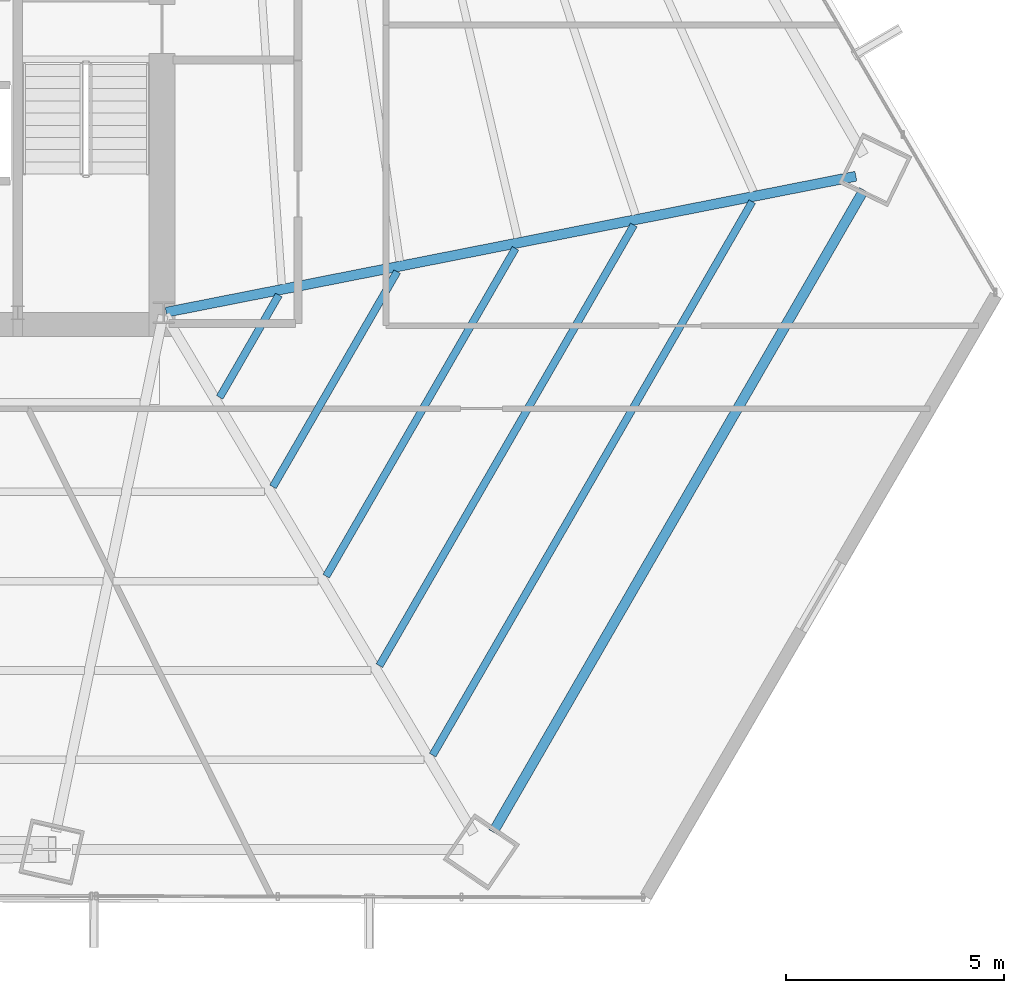
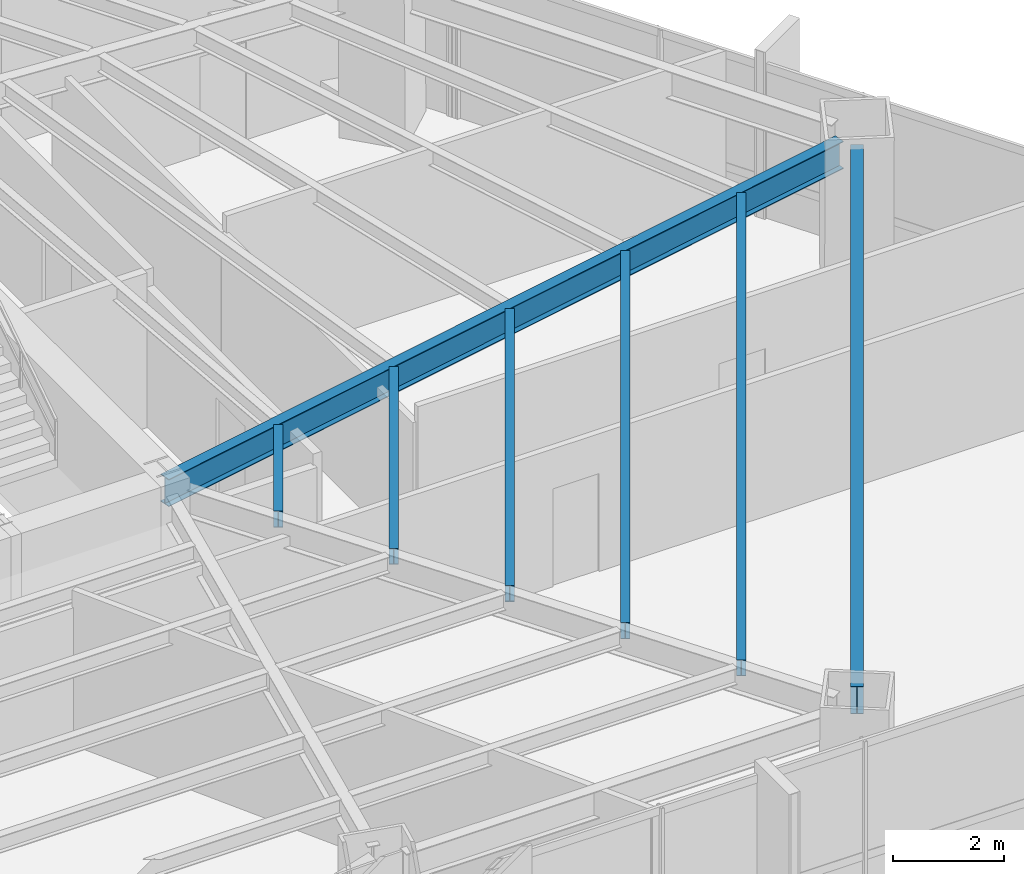
# One storey, part 15 of 33: 7 beams.
"""IFC4 building model written with IfcOpenShell, lengths in metres."""

import ifcopenshell
import ifcopenshell.guid

model = None  # the IFC model being written
_history = None  # IfcOwnerHistory: only IFC2X3 demands one
_inside = {}  # id of a spatial element -> (the spatial element, [elements in it])
_under = {}  # id of a project, library or spatial element -> (it, [spatial elements below it])
_declared = {}  # id of a project -> (the project, [libraries it declares])
_typed = {}  # id of a type object -> (the type object, [elements of that type])
_made_of = {}  # id of a material, layer set ... -> (it, [elements and type objects made of it])


def new_model(schema):
    """Start an empty IFC model of exactly this schema.

    Asked for "IFC4X3", IfcOpenShell would pick the latest addendum, in which some entities
    have other attributes; the version numbers below select the first issue.
    IFC2X3 requires an IfcOwnerHistory on every rooted entity: one is made here for all.
    """
    global model, _history
    if schema == "IFC4X3":
        model = ifcopenshell.file(schema_version=(4, 3, 0, 0))
    else:
        model = ifcopenshell.file(schema=schema)
    _inside.clear()
    _under.clear()
    _declared.clear()
    _typed.clear()
    _made_of.clear()
    _history = None
    if model.schema == "IFC2X3":
        org = make("IfcOrganization", Name="unknown")
        user = make(
            "IfcPersonAndOrganization",
            ThePerson=make("IfcPerson", FamilyName="unknown"),
            TheOrganization=org,
        )
        app = make(
            "IfcApplication",
            ApplicationDeveloper=org,
            Version="unknown",
            ApplicationFullName="unknown",
            ApplicationIdentifier="unknown",
        )
        _history = make(
            "IfcOwnerHistory",
            OwningUser=user,
            OwningApplication=app,
            ChangeAction="ADDED",
            CreationDate=0,
        )
    return model


def make(cls, **values):
    """One entity of the class cls with the attributes given. An attribute that is None is left unset."""
    return model.create_entity(
        cls, **{name: value for name, value in values.items() if value is not None}
    )


def rooted(cls, **values):
    """An entity with a GlobalId (a new one), such as an element, a storey or a relation."""
    return make(cls, GlobalId=ifcopenshell.guid.new(), OwnerHistory=_history, **values)


def si_unit(unit_type, name, prefix=None):
    """IfcSIUnit, for example si_unit("LENGTHUNIT", "METRE", prefix="MILLI")."""
    return make("IfcSIUnit", UnitType=unit_type, Prefix=prefix, Name=name)


def assignment(units):
    """IfcUnitAssignment: the units of a project."""
    return None if units is None else make("IfcUnitAssignment", Units=units)


def point(xyz):
    """IfcCartesianPoint."""
    return None if xyz is None else make("IfcCartesianPoint", Coordinates=xyz)


def direction(xyz):
    """IfcDirection."""
    return None if xyz is None else make("IfcDirection", DirectionRatios=xyz)


def frame(location, z_axis=None, x_axis=None):
    """IfcAxis2Placement3D, a coordinate frame: its origin and axes. An axis left out is left unset."""
    return make(
        "IfcAxis2Placement3D",
        Location=point(location),
        Axis=direction(z_axis),
        RefDirection=direction(x_axis),
    )


def frame_2d(location, x_axis=None):
    """IfcAxis2Placement2D, a coordinate frame in the plane: its origin and x axis."""
    return make(
        "IfcAxis2Placement2D", Location=point(location), RefDirection=direction(x_axis)
    )


def origin():
    """The frame at (0, 0, 0) with its axes left unset."""
    return frame((0.0, 0.0, 0.0))


def origin_2d():
    """The frame at (0, 0) in the plane with its x axis left unset."""
    return frame_2d((0.0, 0.0))


def place(relative_to, where):
    """IfcLocalPlacement: puts the frame where relative to a parent placement (None: the world)."""
    return make(
        "IfcLocalPlacement", PlacementRelTo=relative_to, RelativePlacement=where
    )


def context(
    kind, dimensions, precision=None, world=None, true_north=None, identifier=None
):
    """IfcGeometricRepresentationContext, for example the 3D "Model" context."""
    return make(
        "IfcGeometricRepresentationContext",
        ContextIdentifier=identifier,
        ContextType=kind,
        CoordinateSpaceDimension=dimensions,
        Precision=precision,
        WorldCoordinateSystem=world,
        TrueNorth=true_north,
    )


def subcontext(parent, identifier, kind, view, scale=None):
    """IfcGeometricRepresentationSubContext, for example "Body" below "Model"."""
    return make(
        "IfcGeometricRepresentationSubContext",
        ContextIdentifier=identifier,
        ContextType=kind,
        ParentContext=parent,
        TargetScale=scale,
        TargetView=view,
    )


def project(units=None, contexts=None):
    """IfcProject with its units and contexts."""
    return rooted(
        "IfcProject",
        Name="project",
        RepresentationContexts=contexts,
        UnitsInContext=assignment(units),
    )


def spatial(cls, under=None, at=None, **own):
    """A site, building, storey or space (cls), placed at a placement, below another one or the project."""
    s = rooted(cls, ObjectPlacement=at, **own)
    if under is not None:
        _under.setdefault(under.id(), (under, []))[1].append(s)
    return s


def profile(cls, at=None, kind="AREA", **sizes):
    """A parametric profile (cls). Its sizes go by their IFC names, for example OverallWidth=200.0."""
    return make(cls, ProfileType=kind, Position=at, **sizes)


def i_section(**sizes):
    """IfcIShapeProfileDef."""
    return profile("IfcIShapeProfileDef", **sizes)


def extrude(swept, where, along, depth):
    """IfcExtrudedAreaSolid: the profile swept, set in the frame where, extruded along a direction by depth."""
    return make(
        "IfcExtrudedAreaSolid",
        SweptArea=swept,
        Position=where,
        ExtrudedDirection=direction(along),
        Depth=depth,
    )


def shape(context_of_items, identifier, shape_type, items):
    """IfcShapeRepresentation: the items that make up one representation, for example the "Body"."""
    return make(
        "IfcShapeRepresentation",
        ContextOfItems=context_of_items,
        RepresentationIdentifier=identifier,
        RepresentationType=shape_type,
        Items=items,
    )


def source(mapping_origin, context_of_items, identifier, shape_type, items):
    """IfcRepresentationMap: a shape defined once, which mapped items show again and again."""
    return make(
        "IfcRepresentationMap",
        MappingOrigin=mapping_origin,
        MappedRepresentation=shape(context_of_items, identifier, shape_type, items),
    )


def transform(
    local_origin,
    x_axis=None,
    y_axis=None,
    z_axis=None,
    scale=None,
    scale2=None,
    scale3=None,
    uniform=True,
):
    """IfcCartesianTransformationOperator3D, or its non-uniform kind. x_axis, y_axis, z_axis: its Axis1, 2, 3."""
    if uniform:
        return make(
            "IfcCartesianTransformationOperator3D",
            Axis1=direction(x_axis),
            Axis2=direction(y_axis),
            LocalOrigin=point(local_origin),
            Scale=scale,
            Axis3=direction(z_axis),
        )
    return make(
        "IfcCartesianTransformationOperator3DnonUniform",
        Axis1=direction(x_axis),
        Axis2=direction(y_axis),
        LocalOrigin=point(local_origin),
        Scale=scale,
        Axis3=direction(z_axis),
        Scale2=scale2,
        Scale3=scale3,
    )


def mapped(mapping_source, mapping_target):
    """IfcMappedItem: shows the shape of a source again, moved by a transform."""
    return make(
        "IfcMappedItem", MappingSource=mapping_source, MappingTarget=mapping_target
    )


def material(Name=None, Category=None):
    """IfcMaterial."""
    return make("IfcMaterial", Name=Name, Category=Category)


def material_profile(
    of_material, cross_section, Name=None, Category=None, Priority=None
):
    """IfcMaterialProfile: a cross section and its material."""
    return make(
        "IfcMaterialProfile",
        Name=Name,
        Material=of_material,
        Profile=cross_section,
        Priority=Priority,
        Category=Category,
    )


def profile_set(profiles, Name=None, composite=None):
    """IfcMaterialProfileSet."""
    return make(
        "IfcMaterialProfileSet",
        Name=Name,
        MaterialProfiles=profiles,
        CompositeProfile=composite,
    )


def made_of(thing, what):
    """Note that an element or type object is made of a material, layer set ...; save() writes the relation."""
    if what is not None:
        _made_of.setdefault(what.id(), (what, []))[1].append(thing)
    return thing


def type_object(cls, material=None, **own):
    """A type object (cls), such as IfcWallType, which elements share."""
    return made_of(rooted(cls, **own), material)


def type_shapes(of_type, sources):
    """Give a type object the sources (RepresentationMaps) that its elements show as mapped items."""
    of_type.RepresentationMaps = sources


def element(
    cls,
    number,
    at=None,
    inside=None,
    cuts=None,
    type_object=None,
    material=None,
    context=None,
    identifier="Body",
    shape_type=None,
    held_by="IfcProductDefinitionShape",
    body=None,
    shapes=None,
    **own,
):
    """One element of the class cls, such as IfcWall. Its Tag is "e" and its number.

    at: its placement. inside: the storey or other place that contains it. cuts: it is an
    opening in that element (IfcRelVoidsElement). A single representation is given by context,
    identifier, shape_type and body (its items); several are given by shapes. held_by: the class
    of the entity that holds the representations. save() writes the other relations.
    """
    e = rooted(cls, Tag="e%d" % number, ObjectPlacement=at, **own)
    if body is not None:
        shapes = [shape(context, identifier, shape_type, body)]
    if shapes is not None:
        e.Representation = make(held_by, Representations=shapes)
    if inside is not None:
        _inside.setdefault(inside.id(), (inside, []))[1].append(e)
    if cuts is not None:
        rooted(
            "IfcRelVoidsElement", RelatingBuildingElement=cuts, RelatedOpeningElement=e
        )
    if type_object is not None:
        _typed.setdefault(type_object.id(), (type_object, []))[1].append(e)
    return made_of(e, material)


def aggregate(whole, parts):
    """IfcRelAggregates: a whole, such as a stair, and the parts it consists of."""
    return rooted("IfcRelAggregates", RelatingObject=whole, RelatedObjects=parts)


def save(model, path):
    """Write the relations noted so far, then the file.

    IfcRelAggregates (storeys below a building ...), IfcRelContainedInSpatialStructure (elements
    in a storey), IfcRelDefinesByType, IfcRelAssociatesMaterial and IfcRelDeclares: one each for
    every whole, place, type object, material and project.
    """
    for whole, parts in _under.values():
        aggregate(whole, parts)
    for where, things in _inside.values():
        rooted(
            "IfcRelContainedInSpatialStructure",
            RelatedElements=things,
            RelatingStructure=where,
        )
    for kind, things in _typed.values():
        rooted("IfcRelDefinesByType", RelatedObjects=things, RelatingType=kind)
    for what, things in _made_of.values():
        rooted("IfcRelAssociatesMaterial", RelatedObjects=things, RelatingMaterial=what)
    for by, libraries in _declared.values():
        rooted("IfcRelDeclares", RelatingContext=by, RelatedDefinitions=libraries)
    model.write(path)


model = new_model("IFC4")

# Units and contexts
model_context = context("Model", 3, precision=1e-05, world=origin(), true_north=direction((0.0, 1.0)))
body_context = subcontext(model_context, "Body", "Model", "MODEL_VIEW")
ifc_project = project(units=[si_unit("LENGTHUNIT", "METRE"), si_unit("AREAUNIT", "SQUARE_METRE"), si_unit("VOLUMEUNIT", "CUBIC_METRE"), si_unit("PLANEANGLEUNIT", "RADIAN"), si_unit("MASSUNIT", "GRAM", prefix="KILO")], contexts=[model_context])

# Site, building, storey
site_placement = place(None, origin())
site = spatial("IfcSite", under=ifc_project, at=site_placement, CompositionType="ELEMENT")
building_placement = place(site_placement, origin())
building = spatial("IfcBuilding", under=site, at=building_placement, Name="Caelisora Broadcast Tower", CompositionType="ELEMENT")
storey_placement = place(building_placement, frame((0.0, 0.0, 38.550048828125)))
storey = spatial("IfcBuildingStorey", under=building, at=storey_placement, Name="L09", CompositionType="ELEMENT", Elevation=38.550048828125)

# Beams
ifc_material = material(Name="Steel Grade 350 (AS/NZS 3679.1)", Category="steel")
ifc_material_profile_1 = material_profile(ifc_material, i_section(OverallWidth=0.22900390625, OverallDepth=0.611572265625, WebThickness=0.011962890625, FlangeThickness=0.01953125, at=origin_2d()), Name="Steel Grade 350 (AS/NZS 3679.1)")
ifc_profile_set_1 = profile_set([ifc_material_profile_1], Name="Steel Grade 350 (AS/NZS 3679.1)")
beam_type_1 = type_object("IfcBeamType", Name="PG03", PredefinedType="BEAM", material=ifc_profile_set_1)
shared_shape_1 = source(origin(), body_context, "Body", "SweptSolid", [
    extrude(i_section(OverallWidth=0.22900390625, OverallDepth=0.611572265625, WebThickness=0.011962890625, FlangeThickness=0.01953125, at=origin_2d()), origin(), (0.0, 0.0, 1.0), 17.00537109375),
])
type_shapes(beam_type_1, [shared_shape_1])
beam_1_placement = place(storey_placement, frame((53.05908203125, 5.487548828125, 3.09423828125), z_axis=(0.500000829766, 0.866024924718, 0.0), x_axis=(-0.866024924718, 0.500000829766, 0.0)))
element("IfcBeam", 1, at=beam_1_placement, inside=storey, type_object=beam_type_1, Name="L09 beam PG03", PredefinedType="BEAM", context=body_context, shape_type="MappedRepresentation", body=[
    mapped(shared_shape_1, transform((0.0, 0.0, 0.0), scale=1.0)),
])
ifc_material_profile_2 = material_profile(ifc_material, i_section(OverallWidth=0.22802734375, OverallDepth=0.602294921875, WebThickness=0.010498046875, FlangeThickness=0.014892578125, at=origin_2d()), Name="Steel Grade 350 (AS/NZS 3679.1)")
ifc_profile_set_2 = profile_set([ifc_material_profile_2], Name="Steel Grade 350 (AS/NZS 3679.1)")
beam_type_2 = type_object("IfcBeamType", Name="PG04", PredefinedType="BEAM", material=ifc_profile_set_2)
shared_shape_2 = source(origin(), body_context, "Body", "SweptSolid", [
    extrude(i_section(OverallWidth=0.22802734375, OverallDepth=0.602294921875, WebThickness=0.010498046875, FlangeThickness=0.014892578125, at=origin_2d()), origin(), (0.0, 0.0, 1.0), 16.12548828125),
])
type_shapes(beam_type_2, [shared_shape_2])
beam_2_placement = place(storey_placement, frame((45.558837890625, 17.41162109375, 3.098876953125), z_axis=(0.98110240051, 0.193489223766, 0.0), x_axis=(-0.193489223766, 0.98110240051, 0.0)))
element("IfcBeam", 2, at=beam_2_placement, inside=storey, type_object=beam_type_2, Name="L09 beam PG04", PredefinedType="BEAM", context=body_context, shape_type="MappedRepresentation", body=[
    mapped(shared_shape_2, transform((0.0, 0.0, 0.0), scale=1.0)),
])
ifc_material_profile_3 = material_profile(ifc_material, i_section(OverallWidth=0.172119140625, OverallDepth=0.358642578125, WebThickness=0.008056640625, FlangeThickness=0.012939453125, at=origin_2d()), Name="Steel Grade 350 (AS/NZS 3679.1)")
ifc_profile_set_3 = profile_set([ifc_material_profile_3], Name="Steel Grade 350 (AS/NZS 3679.1)")
beam_type_3 = type_object("IfcBeamType", Name="SB02", PredefinedType="JOIST", material=ifc_profile_set_3)
shared_shape_3 = source(origin(), body_context, "Body", "SweptSolid", [
    extrude(i_section(OverallWidth=0.172119140625, OverallDepth=0.358642578125, WebThickness=0.008056640625, FlangeThickness=0.012939453125, at=origin_2d()), origin(), (0.0, 0.0, 1.0), 2.71142578125),
])
beam_3_placement = place(storey_placement, frame((46.785400390625, 15.458740234375, 3.220703125), z_axis=(0.500003046405, 0.866023644935, 0.0), x_axis=(-0.866023644935, 0.500003046405, 0.0)))
element("IfcBeam", 3, at=beam_3_placement, inside=storey, type_object=beam_type_3, Name="L09 beam SB02", PredefinedType="JOIST", context=body_context, shape_type="MappedRepresentation", body=[
    mapped(shared_shape_3, transform((0.0, 0.0, 0.0), scale=1.0)),
])
shared_shape_4 = source(origin(), body_context, "Body", "SweptSolid", [
    extrude(i_section(OverallWidth=0.172119140625, OverallDepth=0.358642578125, WebThickness=0.008056640625, FlangeThickness=0.012939453125, at=origin_2d()), origin(), (0.0, 0.0, 1.0), 5.69921875),
])
beam_4_placement = place(storey_placement, frame((48.0068359375, 13.406982421875, 3.220703125), z_axis=(0.500009219579, 0.866020080793, 0.0), x_axis=(-0.866020080793, 0.500009219579, 0.0)))
element("IfcBeam", 4, at=beam_4_placement, inside=storey, type_object=beam_type_3, Name="L09 beam SB02", PredefinedType="JOIST", context=body_context, shape_type="MappedRepresentation", body=[
    mapped(shared_shape_4, transform((0.0, 0.0, 0.0), scale=1.0)),
])
shared_shape_5 = source(origin(), body_context, "Body", "SweptSolid", [
    extrude(i_section(OverallWidth=0.172119140625, OverallDepth=0.358642578125, WebThickness=0.008056640625, FlangeThickness=0.012939453125, at=origin_2d()), origin(), (0.0, 0.0, 1.0), 8.686767578125),
])
beam_5_placement = place(storey_placement, frame((49.228271484375, 11.35498046875, 3.220703125), z_axis=(0.500011146402, 0.866018968311, 0.0), x_axis=(-0.866018968311, 0.500011146402, 0.0)))
element("IfcBeam", 5, at=beam_5_placement, inside=storey, type_object=beam_type_3, Name="L09 beam SB02", PredefinedType="JOIST", context=body_context, shape_type="MappedRepresentation", body=[
    mapped(shared_shape_5, transform((0.0, 0.0, 0.0), scale=1.0)),
])
shared_shape_6 = source(origin(), body_context, "Body", "SweptSolid", [
    extrude(i_section(OverallWidth=0.172119140625, OverallDepth=0.358642578125, WebThickness=0.008056640625, FlangeThickness=0.012939453125, at=origin_2d()), origin(), (0.0, 0.0, 1.0), 11.67431640625),
])
beam_6_placement = place(storey_placement, frame((50.44970703125, 9.30322265625, 3.220703125), z_axis=(0.499996402825, 0.866027480605, 0.0), x_axis=(-0.866027480605, 0.499996402825, 0.0)))
element("IfcBeam", 6, at=beam_6_placement, inside=storey, type_object=beam_type_3, Name="L09 beam SB02", PredefinedType="JOIST", context=body_context, shape_type="MappedRepresentation", body=[
    mapped(shared_shape_6, transform((0.0, 0.0, 0.0), scale=1.0)),
])
shared_shape_7 = source(origin(), body_context, "Body", "SweptSolid", [
    extrude(i_section(OverallWidth=0.172119140625, OverallDepth=0.358642578125, WebThickness=0.008056640625, FlangeThickness=0.012939453125, at=origin_2d()), origin(), (0.0, 0.0, 1.0), 14.661865234375),
])
type_shapes(beam_type_3, [shared_shape_3, shared_shape_4, shared_shape_5, shared_shape_6, shared_shape_7])
beam_7_placement = place(storey_placement, frame((51.67138671875, 7.25146484375, 3.220703125), z_axis=(0.499987667596, 0.866032523784, 0.0), x_axis=(-0.866032523784, 0.499987667596, 0.0)))
element("IfcBeam", 7, at=beam_7_placement, inside=storey, type_object=beam_type_3, Name="L09 beam SB02", PredefinedType="JOIST", context=body_context, shape_type="MappedRepresentation", body=[
    mapped(shared_shape_7, transform((0.0, 0.0, 0.0), scale=1.0)),
])

save(model, "model.ifc")
